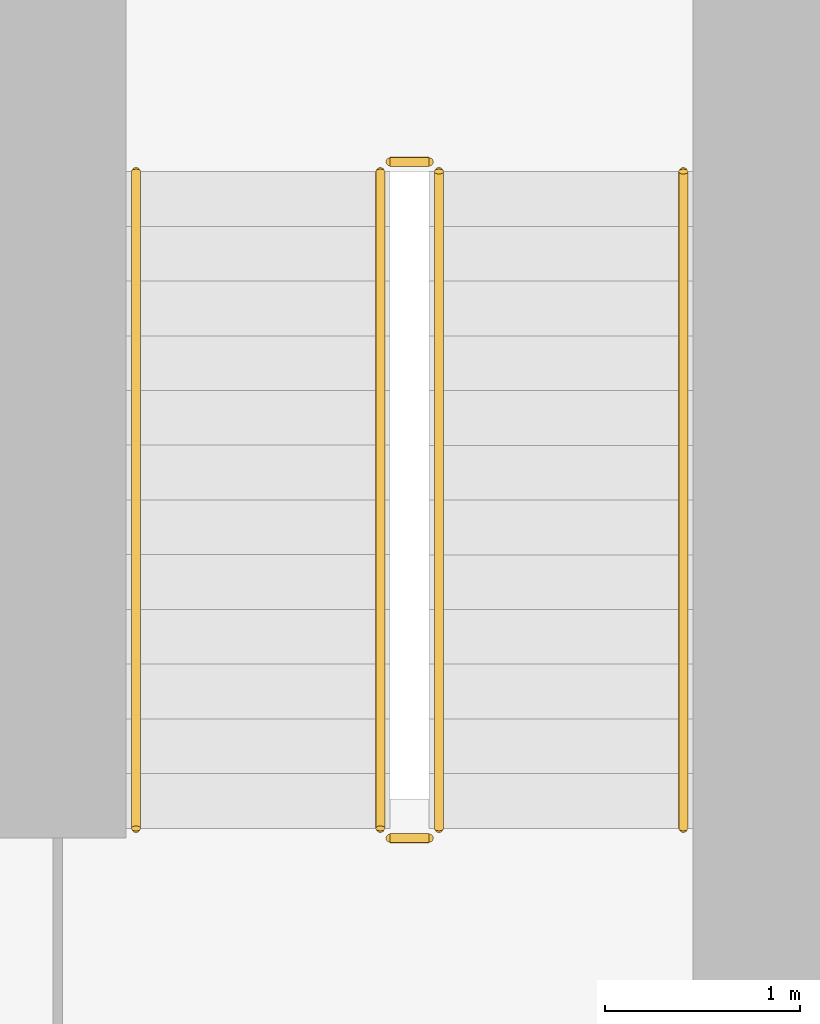
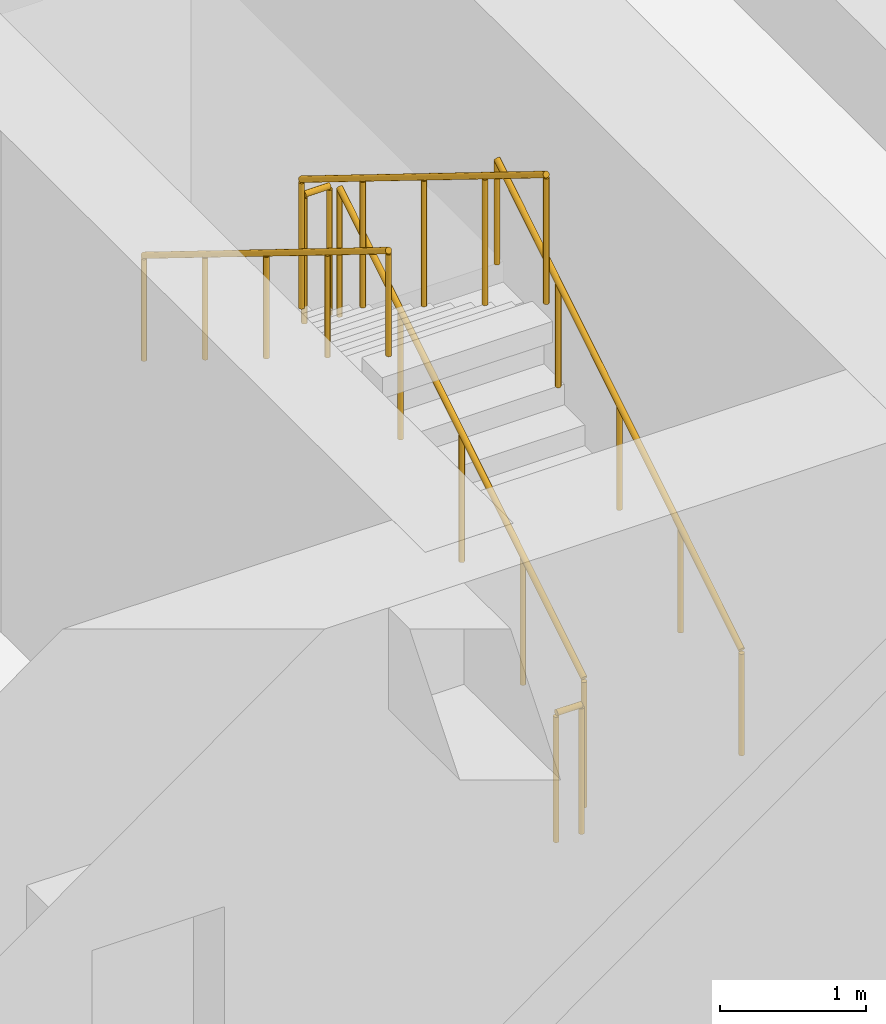
# One storey, part 8 of 8: 6 railings.
"""IFC4 building model written with IfcOpenShell, lengths in metres."""

from ifc_helpers import new_model, si_unit, direction, frame, origin, origin_2d, place, context, subcontext, project, spatial, circle, extrude, material, type_object, element, save


model = new_model("IFC4")

# Units and contexts
model_context = context("Model", 3, precision=1e-05, world=origin(), true_north=direction((0.0, 1.0)))
body_context = subcontext(model_context, "Body", "Model", "MODEL_VIEW")
ifc_project = project(units=[si_unit("LENGTHUNIT", "METRE"), si_unit("AREAUNIT", "SQUARE_METRE"), si_unit("VOLUMEUNIT", "CUBIC_METRE"), si_unit("PLANEANGLEUNIT", "RADIAN"), si_unit("MASSUNIT", "GRAM", prefix="KILO")], contexts=[model_context])

# Site, building, storey
site_placement = place(None, origin())
site = spatial("IfcSite", under=ifc_project, at=site_placement, CompositionType="ELEMENT")
building_placement = place(site_placement, origin())
building = spatial("IfcBuilding", under=site, at=building_placement, Name="Caelmar Bay Residences", CompositionType="ELEMENT")
storey_placement = place(building_placement, frame((0.0, 0.0, -4.5)))
storey = spatial("IfcBuildingStorey", under=building, at=storey_placement, Name="B01", CompositionType="ELEMENT", Elevation=-4.5)

# Railings
ifc_material_1 = material(Name="Painted galvanized steel stair guard 1100 mm", Category="steel")
railing_type_1 = type_object("IfcRailingType", Name="RL-GRD-1100", PredefinedType="GUARDRAIL", material=ifc_material_1)
railing_1_placement = place(storey_placement, frame((57.85009765625, 38.699951171875, 0.173095703125)))
element("IfcRailing", 1, at=railing_1_placement, inside=storey, type_object=railing_type_1, Name="B01 ST2 stair guard 1", PredefinedType="GUARDRAIL", context=body_context, shape_type="SweptSolid", body=[
    extrude(circle(Radius=0.02392578125, at=origin_2d()), frame((0.0, 0.0, 1.076171875), z_axis=(0.0, 0.850623216509, 0.525775754039), x_axis=(-1.0, 0.0, 0.0)), (0.0, 0.0, 1.0), 3.9501953125),
    extrude(circle(Radius=0.02099609375, at=origin_2d()), origin(), (0.0, 0.0, 1.0), 1.052001953125),
    extrude(circle(Radius=0.02099609375, at=origin_2d()), frame((0.0, 0.840087890625, 0.519287109375)), (0.0, 0.0, 1.0), 1.052001953125),
    extrude(circle(Radius=0.02099609375, at=origin_2d()), frame((0.0, 1.68017578125, 1.03857421875)), (0.0, 0.0, 1.0), 1.052001953125),
    extrude(circle(Radius=0.02099609375, at=origin_2d()), frame((0.0, 2.52001953125, 1.5576171875)), (0.0, 0.0, 1.0), 1.052001953125),
    extrude(circle(Radius=0.02099609375, at=origin_2d()), frame((0.0, 3.360107421875, 2.076904296875)), (0.0, 0.0, 1.0), 1.052001953125),
])
railing_2_placement = place(storey_placement, frame((57.800048828125, 42.110107421875, 2.25)))
element("IfcRailing", 2, at=railing_2_placement, inside=storey, type_object=railing_type_1, Name="B01 ST2 stair guard 2", PredefinedType="GUARDRAIL", context=body_context, shape_type="SweptSolid", body=[
    extrude(circle(Radius=0.02392578125, at=origin_2d()), frame((0.0, 0.0, 1.076171875), z_axis=(-1.0, 0.0, 0.0), x_axis=(0.0, -1.0, 0.0)), (0.0, 0.0, 1.0), 0.199951171875),
    extrude(circle(Radius=0.02099609375, at=origin_2d()), origin(), (0.0, 0.0, 1.0), 1.052001953125),
    extrude(circle(Radius=0.02099609375, at=origin_2d()), frame((-0.199951171875, 0.0, 0.0)), (0.0, 0.0, 1.0), 1.052001953125),
])
railing_3_placement = place(storey_placement, frame((57.550048828125, 42.06005859375, 2.423095703125)))
element("IfcRailing", 3, at=railing_3_placement, inside=storey, type_object=railing_type_1, Name="B01 ST2 stair guard 3", PredefinedType="GUARDRAIL", context=body_context, shape_type="SweptSolid", body=[
    extrude(circle(Radius=0.02392578125, at=origin_2d()), frame((0.0, 0.0, 1.076171875), z_axis=(0.0, -0.850623216509, 0.525775754039), x_axis=(1.0, 0.0, 0.0)), (0.0, 0.0, 1.0), 3.9501953125),
    extrude(circle(Radius=0.02099609375, at=origin_2d()), origin(), (0.0, 0.0, 1.0), 1.052001953125),
    extrude(circle(Radius=0.02099609375, at=origin_2d()), frame((0.0, -0.840087890625, 0.519287109375)), (0.0, 0.0, 1.0), 1.052001953125),
    extrude(circle(Radius=0.02099609375, at=origin_2d()), frame((0.0, -1.68017578125, 1.03857421875)), (0.0, 0.0, 1.0), 1.052001953125),
    extrude(circle(Radius=0.02099609375, at=origin_2d()), frame((0.0, -2.52001953125, 1.5576171875)), (0.0, 0.0, 1.0), 1.052001953125),
    extrude(circle(Radius=0.02099609375, at=origin_2d()), frame((0.0, -3.360107421875, 2.076904296875)), (0.0, 0.0, 1.0), 1.052001953125),
])
railing_4_placement = place(storey_placement, frame((57.800048828125, 38.64990234375, 0.0)))
element("IfcRailing", 4, at=railing_4_placement, inside=storey, type_object=railing_type_1, Name="B01 ST2 stair guard 4", PredefinedType="GUARDRAIL", context=body_context, shape_type="SweptSolid", body=[
    extrude(circle(Radius=0.02392578125, at=origin_2d()), frame((0.0, 0.0, 1.076171875), z_axis=(-1.0, 0.0, 0.0), x_axis=(0.0, -1.0, 0.0)), (0.0, 0.0, 1.0), 0.199951171875),
    extrude(circle(Radius=0.02099609375, at=origin_2d()), origin(), (0.0, 0.0, 1.0), 1.052001953125),
    extrude(circle(Radius=0.02099609375, at=origin_2d()), frame((-0.199951171875, 0.0, 0.0)), (0.0, 0.0, 1.0), 1.052001953125),
])
ifc_material_2 = material(Name="Brushed bronze stainless-steel tubular handrail 900 mm", Category="steel")
railing_type_2 = type_object("IfcRailingType", Name="RL-HND-900", PredefinedType="HANDRAIL", material=ifc_material_2)
railing_5_placement = place(storey_placement, frame((59.10009765625, 38.699951171875, 0.173095703125)))
element("IfcRailing", 5, at=railing_5_placement, inside=storey, type_object=railing_type_2, Name="B01 ST2 stair handrail 1", PredefinedType="HANDRAIL", context=body_context, shape_type="SweptSolid", body=[
    extrude(circle(Radius=0.02392578125, at=origin_2d()), frame((0.0, 0.0, 0.8759765625), z_axis=(0.0, 0.850623216509, 0.525775754039), x_axis=(-1.0, 0.0, 0.0)), (0.0, 0.0, 1.0), 3.9501953125),
    extrude(circle(Radius=0.02099609375, at=origin_2d()), origin(), (0.0, 0.0, 1.0), 0.851806640625),
    extrude(circle(Radius=0.02099609375, at=origin_2d()), frame((0.0, 0.840087890625, 0.519287109375)), (0.0, 0.0, 1.0), 0.851806640625),
    extrude(circle(Radius=0.02099609375, at=origin_2d()), frame((0.0, 1.68017578125, 1.03857421875)), (0.0, 0.0, 1.0), 0.851806640625),
    extrude(circle(Radius=0.02099609375, at=origin_2d()), frame((0.0, 2.52001953125, 1.5576171875)), (0.0, 0.0, 1.0), 0.851806640625),
    extrude(circle(Radius=0.02099609375, at=origin_2d()), frame((0.0, 3.360107421875, 2.076904296875)), (0.0, 0.0, 1.0), 0.851806640625),
])
railing_6_placement = place(storey_placement, frame((56.300048828125, 42.06005859375, 2.423095703125)))
element("IfcRailing", 6, at=railing_6_placement, inside=storey, type_object=railing_type_2, Name="B01 ST2 stair handrail 2", PredefinedType="HANDRAIL", context=body_context, shape_type="SweptSolid", body=[
    extrude(circle(Radius=0.02392578125, at=origin_2d()), frame((0.0, 0.0, 0.8759765625), z_axis=(0.0, -0.850623216509, 0.525775754039), x_axis=(1.0, 0.0, 0.0)), (0.0, 0.0, 1.0), 3.9501953125),
    extrude(circle(Radius=0.02099609375, at=origin_2d()), origin(), (0.0, 0.0, 1.0), 0.851806640625),
    extrude(circle(Radius=0.02099609375, at=origin_2d()), frame((0.0, -0.840087890625, 0.519287109375)), (0.0, 0.0, 1.0), 0.851806640625),
    extrude(circle(Radius=0.02099609375, at=origin_2d()), frame((0.0, -1.68017578125, 1.03857421875)), (0.0, 0.0, 1.0), 0.851806640625),
    extrude(circle(Radius=0.02099609375, at=origin_2d()), frame((0.0, -2.52001953125, 1.5576171875)), (0.0, 0.0, 1.0), 0.851806640625),
    extrude(circle(Radius=0.02099609375, at=origin_2d()), frame((0.0, -3.360107421875, 2.076904296875)), (0.0, 0.0, 1.0), 0.851806640625),
])

save(model, "model.ifc")
